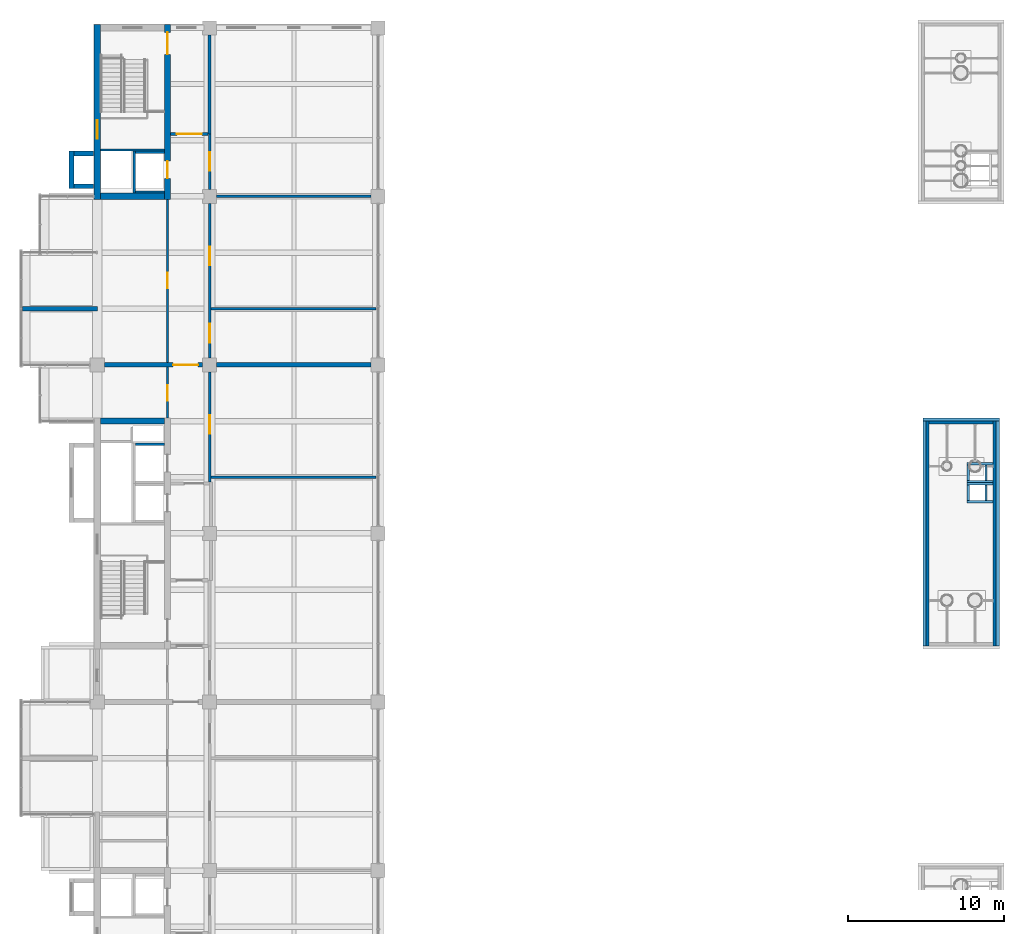
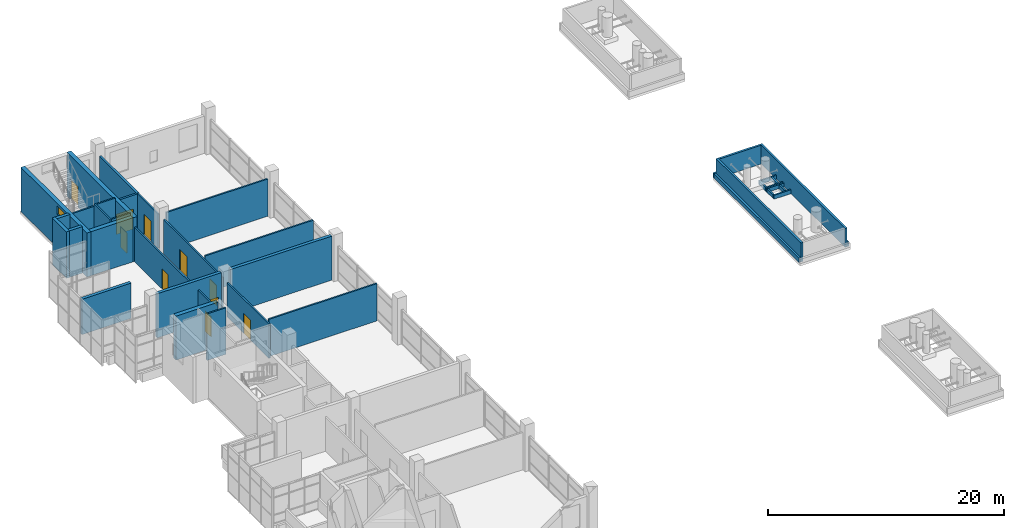
# One storey, part 16 of 22: 39 walls, 10 doors, 1 window, 11 openings.
"""IFC4 building model written with IfcOpenShell, lengths in metres."""

from ifc_helpers import new_model, si_unit, direction, frame, frame_2d, origin, place, context, subcontext, project, spatial, rectangle, extrude, material, layer, layer_set, type_object, element, fill, save


model = new_model("IFC4")

# Units and contexts
model_context = context("Model", 3, precision=1e-05, world=origin(), true_north=direction((0.0, 1.0)))
body_context = subcontext(model_context, "Body", "Model", "MODEL_VIEW")
ifc_project = project(units=[si_unit("LENGTHUNIT", "METRE"), si_unit("AREAUNIT", "SQUARE_METRE"), si_unit("VOLUMEUNIT", "CUBIC_METRE"), si_unit("PLANEANGLEUNIT", "RADIAN"), si_unit("MASSUNIT", "GRAM", prefix="KILO")], contexts=[model_context])

# Site, building, storey
site_placement = place(None, origin())
site = spatial("IfcSite", under=ifc_project, at=site_placement, CompositionType="ELEMENT")
building_placement = place(site_placement, origin())
building = spatial("IfcBuilding", under=site, at=building_placement, Name="Basin Gate Institute", CompositionType="ELEMENT")
storey_placement = place(building_placement, frame((0.0, 0.0, 51.0)))
storey = spatial("IfcBuildingStorey", under=building, at=storey_placement, Name="L10", CompositionType="ELEMENT", Elevation=51.0)

# Wall
ifc_material_1 = material(Name="Aluminium-faced insulated panel wall", Category="aluminium")
ifc_layer_1 = layer(ifc_material_1, 0.300048828125)
ifc_layer_set_1 = layer_set([ifc_layer_1], Name="Capsule side wall EW2 EI 120")
wall_type_1 = type_object("IfcWallType", Name="Capsule side wall EW2 EI 120", PredefinedType="STANDARD", material=ifc_layer_set_1)
wall_1_placement = place(storey_placement, frame((56.39990234375, 81.89990234375, 0.0), z_axis=(0.0, 0.0, 1.0), x_axis=(1.0, 0.0, 0.0)))
element("IfcWall", 1, at=wall_1_placement, inside=storey, type_object=wall_type_1, material=ifc_layer_set_1, Name="Capsule side wall W wing L10 line 14", PredefinedType="STANDARD", context=body_context, shape_type="SweptSolid", body=[
    extrude(rectangle(XDim=4.800048828125, YDim=0.300048828125, at=frame_2d((2.39990234375, 0.0))), origin(), (0.0, 0.0, 1.0), 3.64990234375),
])

# Wall, opening, door
ifc_material_2 = material(Name="Fire-rated masonry", Category="masonry")
ifc_layer_2 = layer(ifc_material_2, 0.199951171875)
ifc_layer_set_2 = layer_set([ifc_layer_2], Name="Enclosure wall PW2 200 EI 60")
wall_type_2 = type_object("IfcWallType", Name="Enclosure wall PW2 200 EI 60", PredefinedType="PARTITIONING", material=ifc_layer_set_2)
wall_2_placement = place(storey_placement, frame((65.89990234375, 93.10009765625, 0.0), z_axis=(0.0, 0.0, 1.0), x_axis=(1.0, 0.0, 0.0)))
wall_2 = element("IfcWall", 2, at=wall_2_placement, inside=storey, type_object=wall_type_2, material=ifc_layer_set_2, Name="Smoke lobby enclosure wall PW2 L10", PredefinedType="PARTITIONING", context=body_context, shape_type="SweptSolid", body=[
    extrude(rectangle(XDim=2.400146484375, YDim=0.199951171875, at=frame_2d((1.2001953125, 0.0))), origin(), (0.0, 0.0, 1.0), 3.550048828125),
])
opening_1_placement = place(wall_2_placement, frame((0.39990234375, 0.0, 0.0)))
opening_1 = element("IfcOpeningElement", 3, at=opening_1_placement, cuts=wall_2, Name="Opening DR458", PredefinedType="OPENING", context=body_context, shape_type="SweptSolid", body=[
    extrude(rectangle(XDim=1.60009765625, YDim=2.10009765625, at=frame_2d((0.800048828125, 1.050048828125))), frame((0.0, 0.10986328125, 0.0), z_axis=(0.0, -1.0, 0.0), x_axis=(1.0, 0.0, 0.0)), (0.0, 0.0, 1.0), 0.219970703125),
])
ifc_material_3 = material(Name="Steel fire door", Category="steel")
door_type_1 = type_object("IfcDoorType", Name="FD60 Smoke lobby door pair D8", OperationType="DOUBLE_DOOR_SINGLE_SWING", PredefinedType="DOOR", material=ifc_material_3)
door_1_placement = place(opening_1_placement, origin())
door_1 = element("IfcDoor", 4, at=door_1_placement, inside=storey, type_object=door_type_1, material=ifc_material_3, Name="Smoke lobby door SS3 L10", OperationType="DOUBLE_DOOR_SINGLE_SWING", OverallHeight=2.10009765625, OverallWidth=1.60009765625, PredefinedType="DOOR", context=body_context, shape_type="SweptSolid", body=[
    extrude(rectangle(XDim=1.60009765625, YDim=2.10009765625, at=frame_2d((0.800048828125, 1.050048828125))), frame((0.0, 0.02490234375, 0.0), z_axis=(0.0, -1.0, 0.0), x_axis=(1.0, 0.0, 0.0)), (0.0, 0.0, 1.0), 0.050048828125),
])
fill(opening_1, door_1)

# Walls
wall_3_placement = place(storey_placement, frame((68.39990234375, 93.10009765625, 0.0), z_axis=(0.0, 0.0, 1.0), x_axis=(0.0, 1.0, 0.0)))
element("IfcWall", 5, at=wall_3_placement, inside=storey, type_object=wall_type_2, material=ifc_layer_set_2, Name="Smoke lobby enclosure wall PW2 L10", PredefinedType="PARTITIONING", context=body_context, shape_type="SweptSolid", body=[
    extrude(rectangle(XDim=6.349853515625, YDim=0.199951171875, at=frame_2d((3.1748046875, 0.0))), origin(), (0.0, 0.0, 1.0), 3.550048828125),
])
ifc_material_4 = material(Name="Insulated aluminium louvre panel", Category="aluminium")
ifc_layer_3 = layer(ifc_material_4, 0.199951171875)
ifc_layer_set_3 = layer_set([ifc_layer_3], Name="Exhaust enclosure panel XS1")
wall_type_3 = type_object("IfcWallType", Name="Exhaust enclosure panel XS1", PredefinedType="SOLIDWALL", material=ifc_layer_set_3)
for number, where, z_axis, x_axis, name in (
    (6, (118.699951171875, 60.300048828125, 0.25), (0.0, 0.0, 1.0), (0.0, 1.0, 0.0), "Exhaust enclosure panel XS1 EM E"),
    (7, (114.39990234375, 60.300048828125, 0.25), (0.0, 0.0, 1.0), (0.0, 1.0, 0.0), "Exhaust enclosure panel XS1 EM W"),
):
    element("IfcWall", number, at=place(storey_placement, frame(where, z_axis=z_axis, x_axis=x_axis)), inside=storey, type_object=wall_type_3, material=ifc_layer_set_3, Name=name, PredefinedType="SOLIDWALL", context=body_context, shape_type="SweptSolid", body=[
        extrude(rectangle(XDim=14.39990234375, YDim=0.199951171875, at=frame_2d((7.199951171875, 0.0))), origin(), (0.0, 0.0, 1.0), 1.949951171875),
    ])
wall_4_placement = place(storey_placement, frame((114.5, 74.60009765625, 0.25), z_axis=(0.0, 0.0, 1.0), x_axis=(1.0, 0.0, 0.0)))
element("IfcWall", 8, at=wall_4_placement, inside=storey, type_object=wall_type_3, material=ifc_layer_set_3, Name="Exhaust enclosure panel XS1 EM N", PredefinedType="SOLIDWALL", context=body_context, shape_type="SweptSolid", body=[
    extrude(rectangle(XDim=4.10009765625, YDim=0.199951171875, at=frame_2d((2.050048828125, 0.0))), origin(), (0.0, 0.0, 1.0), 1.949951171875),
])
ifc_material_5 = material(Name="Concrete 40 MPa", Category="concrete")
ifc_layer_4 = layer(ifc_material_5, 0.199951171875)
ifc_layer_set_4 = layer_set([ifc_layer_4], Name="Concrete 40 MPa")
wall_type_4 = type_object("IfcWallType", Name="Parapet wall PA4", PredefinedType="PARAPET", material=ifc_layer_set_4)
wall_5_placement = place(storey_placement, frame((114.199951171875, 60.300048828125, 0.25), z_axis=(0.0, 0.0, 1.0), x_axis=(0.0, 1.0, 0.0)))
element("IfcWall", 9, at=wall_5_placement, inside=storey, type_object=wall_type_4, material=ifc_layer_set_4, Name="Parapet wall PA4 L10 EM2", PredefinedType="PARAPET", context=body_context, shape_type="SweptSolid", body=[
    extrude(rectangle(XDim=14.39990234375, YDim=0.199951171875, at=frame_2d((7.199951171875, 0.0))), origin(), (0.0, 0.0, 1.0), 0.449951171875),
])
wall_6_placement = place(storey_placement, frame((114.10009765625, 74.800048828125, 0.25), z_axis=(0.0, 0.0, 1.0), x_axis=(1.0, 0.0, 0.0)))
element("IfcWall", 10, at=wall_6_placement, inside=storey, type_object=wall_type_4, material=ifc_layer_set_4, Name="Parapet wall PA4 L10 EM3", PredefinedType="PARAPET", context=body_context, shape_type="SweptSolid", body=[
    extrude(rectangle(XDim=4.89990234375, YDim=0.199951171875, at=frame_2d((2.449951171875, 0.0))), origin(), (0.0, 0.0, 1.0), 0.449951171875),
])
wall_7_placement = place(storey_placement, frame((118.89990234375, 74.699951171875, 0.25), z_axis=(0.0, 0.0, 1.0), x_axis=(0.0, -1.0, 0.0)))
element("IfcWall", 11, at=wall_7_placement, inside=storey, type_object=wall_type_4, material=ifc_layer_set_4, Name="Parapet wall PA4 L10 EM4", PredefinedType="PARAPET", context=body_context, shape_type="SweptSolid", body=[
    extrude(rectangle(XDim=14.39990234375, YDim=0.199951171875, at=frame_2d((7.199951171875, 0.0))), origin(), (0.0, 0.0, 1.0), 0.449951171875),
])

# Wall, opening, door
ifc_material_6 = material(Name="Gypsum board on steel stud", Category="steel")
ifc_layer_5 = layer(ifc_material_6, 0.14990234375)
ifc_layer_set_5 = layer_set([ifc_layer_5], Name="Gypsum board on steel stud")
wall_type_5 = type_object("IfcWallType", Name="Partition PW1 150 EI 60", PredefinedType="PARTITIONING", material=ifc_layer_set_5)
wall_8_placement = place(storey_placement, frame((65.699951171875, 74.89990234375, 0.0), z_axis=(0.0, 0.0, 1.0), x_axis=(0.0, 1.0, 0.0)))
wall_8 = element("IfcWall", 12, at=wall_8_placement, inside=storey, type_object=wall_type_5, material=ifc_layer_set_5, Name="Corridor wall PW1 L10", PredefinedType="PARTITIONING", context=body_context, shape_type="SweptSolid", body=[
    extrude(rectangle(XDim=3.25, YDim=0.14990234375, at=frame_2d((1.625, 0.0))), origin(), (0.0, 0.0, 1.0), 3.550048828125),
])
opening_2_placement = place(wall_8_placement, frame((1.10009765625, 0.0, 0.0)))
opening_2 = element("IfcOpeningElement", 13, at=opening_2_placement, cuts=wall_8, Name="Opening DR453", PredefinedType="OPENING", context=body_context, shape_type="SweptSolid", body=[
    extrude(rectangle(XDim=1.0, YDim=2.10009765625, at=frame_2d((0.5, 1.050048828125))), frame((0.0, 0.0849609375, 0.0), z_axis=(0.0, -1.0, 0.0), x_axis=(1.0, 0.0, 0.0)), (0.0, 0.0, 1.0), 0.169921875),
])
ifc_material_7 = material(Name="Timber fire door", Category="wood")
door_type_2 = type_object("IfcDoorType", Name="FD30 Office door D1", OperationType="NOTDEFINED", PredefinedType="DOOR", material=ifc_material_7)
door_2_placement = place(opening_2_placement, origin())
door_2 = element("IfcDoor", 14, at=door_2_placement, inside=storey, type_object=door_type_2, material=ifc_material_7, Name="Door to Write-up Office 1005 L10", OperationType="SINGLE_SWING_LEFT", OverallHeight=2.10009765625, OverallWidth=1.0, PredefinedType="DOOR", context=body_context, shape_type="SweptSolid", body=[
    extrude(rectangle(XDim=1.0, YDim=2.10009765625, at=frame_2d((0.5, 1.050048828125))), frame((0.0, 0.02490234375, 0.0), z_axis=(0.0, -1.0, 0.0), x_axis=(1.0, 0.0, 0.0)), (0.0, 0.0, 1.0), 0.050048828125),
])
fill(opening_2, door_2)

wall_9_placement = place(storey_placement, frame((65.699951171875, 78.449951171875, 0.0), z_axis=(0.0, 0.0, 1.0), x_axis=(0.0, 1.0, 0.0)))
wall_9 = element("IfcWall", 15, at=wall_9_placement, inside=storey, type_object=wall_type_5, material=ifc_layer_set_5, Name="Corridor wall PW1 L10", PredefinedType="PARTITIONING", context=body_context, shape_type="SweptSolid", body=[
    extrude(rectangle(XDim=10.449951171875, YDim=0.14990234375, at=frame_2d((5.22509765625, 0.0))), origin(), (0.0, 0.0, 1.0), 3.550048828125),
])
opening_3_placement = place(wall_9_placement, frame((4.75, 0.0, 0.0)))
opening_3 = element("IfcOpeningElement", 16, at=opening_3_placement, cuts=wall_9, Name="Opening DR447", PredefinedType="OPENING", context=body_context, shape_type="SweptSolid", body=[
    extrude(rectangle(XDim=1.0, YDim=2.10009765625, at=frame_2d((0.5, 1.050048828125))), frame((0.0, 0.0849609375, 0.0), z_axis=(0.0, -1.0, 0.0), x_axis=(1.0, 0.0, 0.0)), (0.0, 0.0, 1.0), 0.169921875),
])
door_3_placement = place(opening_3_placement, origin())
door_3 = element("IfcDoor", 17, at=door_3_placement, inside=storey, type_object=door_type_2, material=ifc_material_7, Name="Door to Library Carrel Room 1006 L10", OperationType="SINGLE_SWING_LEFT", OverallHeight=2.10009765625, OverallWidth=1.0, PredefinedType="DOOR", context=body_context, shape_type="SweptSolid", body=[
    extrude(rectangle(XDim=1.0, YDim=2.10009765625, at=frame_2d((0.5, 1.050048828125))), frame((0.0, 0.02490234375, 0.0), z_axis=(0.0, -1.0, 0.0), x_axis=(1.0, 0.0, 0.0)), (0.0, 0.0, 1.0), 0.050048828125),
])
fill(opening_3, door_3)

wall_10_placement = place(storey_placement, frame((68.39990234375, 70.800048828125, 0.0), z_axis=(0.0, 0.0, 1.0), x_axis=(0.0, 1.0, 0.0)))
wall_10 = element("IfcWall", 18, at=wall_10_placement, inside=storey, type_object=wall_type_5, material=ifc_layer_set_5, Name="Laboratory corridor wall PW1 L10", PredefinedType="PARTITIONING", context=body_context, shape_type="SweptSolid", body=[
    extrude(rectangle(XDim=7.050048828125, YDim=0.14990234375, at=frame_2d((3.52490234375, 0.0))), origin(), (0.0, 0.0, 1.0), 3.550048828125),
])
opening_4_placement = place(wall_10_placement, frame((3.074951171875, 0.0, 0.0)))
opening_4 = element("IfcOpeningElement", 19, at=opening_4_placement, cuts=wall_10, Name="Opening DR443", PredefinedType="OPENING", context=body_context, shape_type="SweptSolid", body=[
    extrude(rectangle(XDim=1.199951171875, YDim=2.10009765625, at=frame_2d((0.60009765625, 1.050048828125))), frame((0.0, 0.0849609375, 0.0), z_axis=(0.0, -1.0, 0.0), x_axis=(1.0, 0.0, 0.0)), (0.0, 0.0, 1.0), 0.169921875),
])
ifc_material_8 = material(Name="Timber fire door", Category="wood")
door_type_3 = type_object("IfcDoorType", Name="FD30 Laboratory door D2", OperationType="DOUBLE_DOOR_SINGLE_SWING", PredefinedType="DOOR", material=ifc_material_8)
door_4_placement = place(opening_4_placement, frame((1.199951171875, 0.0, 0.0), z_axis=(0.0, 0.0, 1.0), x_axis=(-1.0, 0.0, 0.0)))
door_4 = element("IfcDoor", 20, at=door_4_placement, inside=storey, type_object=door_type_3, material=ifc_material_8, Name="Door to Breakout Meeting Room 1019 L10", OperationType="DOUBLE_DOOR_SINGLE_SWING", OverallHeight=2.10009765625, OverallWidth=1.199951171875, PredefinedType="DOOR", context=body_context, shape_type="SweptSolid", body=[
    extrude(rectangle(XDim=1.199951171875, YDim=2.10009765625, at=frame_2d((0.60009765625, 1.050048828125))), frame((0.0, 0.02490234375, 0.0), z_axis=(0.0, -1.0, 0.0), x_axis=(1.0, 0.0, 0.0)), (0.0, 0.0, 1.0), 0.050048828125),
])
fill(opening_4, door_4)

# Wall, openings, doors
wall_11_placement = place(storey_placement, frame((68.39990234375, 78.75, 0.0), z_axis=(0.0, 0.0, 1.0), x_axis=(0.0, 1.0, 0.0)))
wall_11 = element("IfcWall", 21, at=wall_11_placement, inside=storey, type_object=wall_type_5, material=ifc_layer_set_5, Name="Laboratory corridor wall PW1 L10", PredefinedType="PARTITIONING", context=body_context, shape_type="SweptSolid", body=[
    extrude(rectangle(XDim=9.89990234375, YDim=0.14990234375, at=frame_2d((4.949951171875, 0.0))), origin(), (0.0, 0.0, 1.0), 3.550048828125),
])
opening_5_placement = place(wall_11_placement, frame((0.97509765625, 0.0, 0.0)))
opening_5 = element("IfcOpeningElement", 22, at=opening_5_placement, cuts=wall_11, Name="Opening DR444", PredefinedType="OPENING", context=body_context, shape_type="SweptSolid", body=[
    extrude(rectangle(XDim=1.199951171875, YDim=2.10009765625, at=frame_2d((0.60009765625, 1.050048828125))), frame((0.0, 0.0849609375, 0.0), z_axis=(0.0, -1.0, 0.0), x_axis=(1.0, 0.0, 0.0)), (0.0, 0.0, 1.0), 0.169921875),
])
opening_6_placement = place(wall_11_placement, frame((5.925048828125, 0.0, 0.0)))
opening_6 = element("IfcOpeningElement", 23, at=opening_6_placement, cuts=wall_11, Name="Opening DR451", PredefinedType="OPENING", context=body_context, shape_type="SweptSolid", body=[
    extrude(rectangle(XDim=1.199951171875, YDim=2.10009765625, at=frame_2d((0.60009765625, 1.050048828125))), frame((0.0, 0.0849609375, 0.0), z_axis=(0.0, -1.0, 0.0), x_axis=(1.0, 0.0, 0.0)), (0.0, 0.0, 1.0), 0.169921875),
])
door_5_placement = place(opening_5_placement, frame((1.199951171875, 0.0, 0.0), z_axis=(0.0, 0.0, 1.0), x_axis=(-1.0, 0.0, 0.0)))
door_5 = element("IfcDoor", 24, at=door_5_placement, inside=storey, type_object=door_type_3, material=ifc_material_8, Name="Door to Breakout Meeting Room 1020 L10", OperationType="DOUBLE_DOOR_SINGLE_SWING", OverallHeight=2.10009765625, OverallWidth=1.199951171875, PredefinedType="DOOR", context=body_context, shape_type="SweptSolid", body=[
    extrude(rectangle(XDim=1.199951171875, YDim=2.10009765625, at=frame_2d((0.60009765625, 1.050048828125))), frame((0.0, 0.02490234375, 0.0), z_axis=(0.0, -1.0, 0.0), x_axis=(1.0, 0.0, 0.0)), (0.0, 0.0, 1.0), 0.050048828125),
])
fill(opening_5, door_5)
door_6_placement = place(opening_6_placement, frame((1.199951171875, 0.0, 0.0), z_axis=(0.0, 0.0, 1.0), x_axis=(-1.0, 0.0, 0.0)))
door_6 = element("IfcDoor", 25, at=door_6_placement, inside=storey, type_object=door_type_3, material=ifc_material_8, Name="Door to Shared Instrument Suite 1021 L10", OperationType="DOUBLE_DOOR_SINGLE_SWING", OverallHeight=2.10009765625, OverallWidth=1.199951171875, PredefinedType="DOOR", context=body_context, shape_type="SweptSolid", body=[
    extrude(rectangle(XDim=1.199951171875, YDim=2.10009765625, at=frame_2d((0.60009765625, 1.050048828125))), frame((0.0, 0.02490234375, 0.0), z_axis=(0.0, -1.0, 0.0), x_axis=(1.0, 0.0, 0.0)), (0.0, 0.0, 1.0), 0.050048828125),
])
fill(opening_6, door_6)

# Wall, opening, door
wall_12_placement = place(storey_placement, frame((68.39990234375, 89.550048828125, 0.0), z_axis=(0.0, 0.0, 1.0), x_axis=(0.0, 1.0, 0.0)))
wall_12 = element("IfcWall", 26, at=wall_12_placement, inside=storey, type_object=wall_type_5, material=ifc_layer_set_5, Name="Laboratory corridor wall PW1 L10", PredefinedType="PARTITIONING", context=body_context, shape_type="SweptSolid", body=[
    extrude(rectangle(XDim=3.550048828125, YDim=0.14990234375, at=frame_2d((1.77490234375, 0.0))), origin(), (0.0, 0.0, 1.0), 3.550048828125),
])
opening_7_placement = place(wall_12_placement, frame((1.175048828125, 0.0, 0.0)))
opening_7 = element("IfcOpeningElement", 27, at=opening_7_placement, cuts=wall_12, Name="Opening DR445", PredefinedType="OPENING", context=body_context, shape_type="SweptSolid", body=[
    extrude(rectangle(XDim=1.199951171875, YDim=2.10009765625, at=frame_2d((0.60009765625, 1.050048828125))), frame((0.0, 0.0849609375, 0.0), z_axis=(0.0, -1.0, 0.0), x_axis=(1.0, 0.0, 0.0)), (0.0, 0.0, 1.0), 0.169921875),
])
door_7_placement = place(opening_7_placement, frame((1.199951171875, 0.0, 0.0), z_axis=(0.0, 0.0, 1.0), x_axis=(-1.0, 0.0, 0.0)))
door_7 = element("IfcDoor", 28, at=door_7_placement, inside=storey, type_object=door_type_3, material=ifc_material_8, Name="Door to Breakout Meeting Room 1022 L10", OperationType="DOUBLE_DOOR_SINGLE_SWING", OverallHeight=2.10009765625, OverallWidth=1.199951171875, PredefinedType="DOOR", context=body_context, shape_type="SweptSolid", body=[
    extrude(rectangle(XDim=1.199951171875, YDim=2.10009765625, at=frame_2d((0.60009765625, 1.050048828125))), frame((0.0, 0.02490234375, 0.0), z_axis=(0.0, -1.0, 0.0), x_axis=(1.0, 0.0, 0.0)), (0.0, 0.0, 1.0), 0.050048828125),
])
fill(opening_7, door_7)

# Walls
for number, where, z_axis, x_axis, name in (
    (29, (68.47509765625, 71.10009765625, 0.0), (0.0, 0.0, 1.0), (1.0, 0.0, 0.0), "Laboratory partition PW1 L10"),
    (30, (68.47509765625, 81.89990234375, 0.0), (0.0, 0.0, 1.0), (1.0, 0.0, 0.0), "Laboratory partition PW1 L10"),
):
    element("IfcWall", number, at=place(storey_placement, frame(where, z_axis=z_axis, x_axis=x_axis)), inside=storey, type_object=wall_type_5, material=ifc_layer_set_5, Name=name, PredefinedType="PARTITIONING", context=body_context, shape_type="SweptSolid", body=[
        extrude(rectangle(XDim=10.574951171875, YDim=0.14990234375, at=frame_2d((5.28759765625, 0.0))), origin(), (0.0, 0.0, 1.0), 3.85009765625),
    ])
wall_13_placement = place(storey_placement, frame((68.85009765625, 89.10009765625, 0.0), z_axis=(0.0, 0.0, 1.0), x_axis=(1.0, 0.0, 0.0)))
element("IfcWall", 31, at=wall_13_placement, inside=storey, type_object=wall_type_5, material=ifc_layer_set_5, Name="Laboratory partition PW1 L10", PredefinedType="PARTITIONING", context=body_context, shape_type="SweptSolid", body=[
    extrude(rectangle(XDim=9.89990234375, YDim=0.14990234375, at=frame_2d((4.949951171875, 0.0))), origin(), (0.0, 0.0, 1.0), 3.85009765625),
])
ifc_material_9 = material(Name="Concrete 40 MPa", Category="concrete")
ifc_layer_6 = layer(ifc_material_9, 0.14990234375)
ifc_layer_set_6 = layer_set([ifc_layer_6], Name="Concrete 40 MPa")
wall_type_6 = type_object("IfcWallType", Name="Roof duct curb CU1", PredefinedType="PARAPET", material=ifc_layer_set_6)
for number, where, z_axis, x_axis, name in (
    (32, (116.925048828125, 69.52490234375, 0.25), (0.0, 0.0, 1.0), (1.0, 0.0, 0.0), "Roof duct curb CU1 EM stack"),
    (33, (116.925048828125, 70.675048828125, 0.25), (0.0, 0.0, 1.0), (1.0, 0.0, 0.0), "Roof duct curb CU1 EM stack"),
):
    element("IfcWall", number, at=place(storey_placement, frame(where, z_axis=z_axis, x_axis=x_axis)), inside=storey, type_object=wall_type_6, material=ifc_layer_set_6, Name=name, PredefinedType="PARAPET", context=body_context, shape_type="SweptSolid", body=[
        extrude(rectangle(XDim=1.675048828125, YDim=0.14990234375, at=frame_2d((0.83740234375, 0.0))), origin(), (0.0, 0.0, 1.0), 0.39990234375),
    ])
for number, where, z_axis, x_axis, name in (
    (34, (117.0, 69.60009765625, 0.25), (0.0, 0.0, 1.0), (0.0, 1.0, 0.0), "Roof duct curb CU1 EM stack"),
    (35, (118.14990234375, 69.60009765625, 0.25), (0.0, 0.0, 1.0), (0.0, 1.0, 0.0), "Roof duct curb CU1 EM stack"),
):
    element("IfcWall", number, at=place(storey_placement, frame(where, z_axis=z_axis, x_axis=x_axis)), inside=storey, type_object=wall_type_6, material=ifc_layer_set_6, Name=name, PredefinedType="PARAPET", context=body_context, shape_type="SweptSolid", body=[
        extrude(rectangle(XDim=1.0, YDim=0.14990234375, at=frame_2d((0.5, 0.0))), origin(), (0.0, 0.0, 1.0), 0.39990234375),
    ])
for number, where, z_axis, x_axis, name in (
    (36, (116.925048828125, 70.824951171875, 0.25), (0.0, 0.0, 1.0), (1.0, 0.0, 0.0), "Roof duct curb CU1 EM stack"),
    (37, (116.925048828125, 71.97509765625, 0.25), (0.0, 0.0, 1.0), (1.0, 0.0, 0.0), "Roof duct curb CU1 EM stack"),
):
    element("IfcWall", number, at=place(storey_placement, frame(where, z_axis=z_axis, x_axis=x_axis)), inside=storey, type_object=wall_type_6, material=ifc_layer_set_6, Name=name, PredefinedType="PARAPET", context=body_context, shape_type="SweptSolid", body=[
        extrude(rectangle(XDim=1.675048828125, YDim=0.14990234375, at=frame_2d((0.83740234375, 0.0))), origin(), (0.0, 0.0, 1.0), 0.39990234375),
    ])
for number, where, z_axis, x_axis, name in (
    (38, (117.0, 70.89990234375, 0.25), (0.0, 0.0, 1.0), (0.0, 1.0, 0.0), "Roof duct curb CU1 EM stack"),
    (39, (118.14990234375, 70.89990234375, 0.25), (0.0, 0.0, 1.0), (0.0, 1.0, 0.0), "Roof duct curb CU1 EM stack"),
):
    element("IfcWall", number, at=place(storey_placement, frame(where, z_axis=z_axis, x_axis=x_axis)), inside=storey, type_object=wall_type_6, material=ifc_layer_set_6, Name=name, PredefinedType="PARAPET", context=body_context, shape_type="SweptSolid", body=[
        extrude(rectangle(XDim=1.0, YDim=0.14990234375, at=frame_2d((0.5, 0.0))), origin(), (0.0, 0.0, 1.0), 0.39990234375),
    ])
ifc_material_10 = material(Name="Concrete 40 MPa", Category="concrete")
ifc_layer_7 = layer(ifc_material_10, 0.14990234375)
ifc_layer_set_7 = layer_set([ifc_layer_7], Name="Concrete 40 MPa")
wall_type_7 = type_object("IfcWallType", Name="Wall LS1 lift shaft enclosure R120", PredefinedType="SOLIDWALL", material=ifc_layer_set_7)
wall_14_placement = place(storey_placement, frame((63.64990234375, 73.22509765625, 0.0), z_axis=(0.0, 0.0, 1.0), x_axis=(1.0, 0.0, 0.0)))
element("IfcWall", 40, at=wall_14_placement, inside=storey, type_object=wall_type_7, material=ifc_layer_set_7, Name="Lift shaft enclosure LP2 L10 RH", PredefinedType="SOLIDWALL", context=body_context, shape_type="SweptSolid", body=[
    extrude(rectangle(XDim=1.85009765625, YDim=0.14990234375, at=frame_2d((0.925048828125, 0.0))), origin(), (0.0, 0.0, 1.0), 4.800048828125),
])
wall_15_placement = place(storey_placement, frame((63.574951171875, 92.0, 0.0), z_axis=(0.0, 0.0, 1.0), x_axis=(0.0, -1.0, 0.0)))
element("IfcWall", 41, at=wall_15_placement, inside=storey, type_object=wall_type_7, material=ifc_layer_set_7, Name="Lift shaft enclosure LP3 L10 UL", PredefinedType="SOLIDWALL", context=body_context, shape_type="SweptSolid", body=[
    extrude(rectangle(XDim=2.699951171875, YDim=0.14990234375, at=frame_2d((1.35009765625, 0.0))), origin(), (0.0, 0.0, 1.0), 4.800048828125),
])
for number, where, z_axis, x_axis, name in (
    (42, (63.64990234375, 91.925048828125, 0.0), (0.0, 0.0, 1.0), (1.0, 0.0, 0.0), "Lift shaft enclosure LP3 L10 RL"),
    (43, (63.64990234375, 89.375, 0.0), (0.0, 0.0, 1.0), (1.0, 0.0, 0.0), "Lift shaft enclosure LP3 L10 RH"),
):
    element("IfcWall", number, at=place(storey_placement, frame(where, z_axis=z_axis, x_axis=x_axis)), inside=storey, type_object=wall_type_7, material=ifc_layer_set_7, Name=name, PredefinedType="SOLIDWALL", context=body_context, shape_type="SweptSolid", body=[
        extrude(rectangle(XDim=1.85009765625, YDim=0.14990234375, at=frame_2d((0.925048828125, 0.0))), origin(), (0.0, 0.0, 1.0), 4.800048828125),
    ])
ifc_material_11 = material(Name="Concrete 40 MPa", Category="concrete")
ifc_layer_8 = layer(ifc_material_11, 0.14990234375)
ifc_layer_set_8 = layer_set([ifc_layer_8], Name="Concrete 40 MPa")
wall_type_8 = type_object("IfcWallType", Name="Wall SE1 stair enclosure R120", PredefinedType="SOLIDWALL", material=ifc_layer_set_8)
wall_16_placement = place(storey_placement, frame((61.39990234375, 92.074951171875, 0.0), z_axis=(0.0, 0.0, 1.0), x_axis=(1.0, 0.0, 0.0)))
element("IfcWall", 44, at=wall_16_placement, inside=storey, type_object=wall_type_8, material=ifc_layer_set_8, Name="Stair enclosure wall ST-WN L10", PredefinedType="SOLIDWALL", context=body_context, shape_type="SweptSolid", body=[
    extrude(rectangle(XDim=4.10009765625, YDim=0.14990234375, at=frame_2d((2.050048828125, 0.0))), origin(), (0.0, 0.0, 1.0), 4.550048828125),
])
ifc_material_12 = material(Name="Concrete 50 MPa", Category="concrete")
ifc_layer_9 = layer(ifc_material_12, 0.300048828125)
ifc_layer_set_9 = layer_set([ifc_layer_9], Name="Concrete 50 MPa")
wall_type_9 = type_object("IfcWallType", Name="Wall SK1 R120", PredefinedType="SHEAR", material=ifc_layer_set_9)
wall_17_placement = place(storey_placement, frame((59.550048828125, 89.60009765625, 0.0), z_axis=(0.0, 0.0, 1.0), x_axis=(0.0, 1.0, 0.0)))
element("IfcWall", 45, at=wall_17_placement, inside=storey, type_object=wall_type_9, material=ifc_layer_set_9, Name="Spine riser stack wall SK1 WN F L10", PredefinedType="SHEAR", context=body_context, shape_type="SweptSolid", body=[
    extrude(rectangle(XDim=2.39990234375, YDim=0.300048828125, at=frame_2d((1.199951171875, 0.0))), origin(), (0.0, 0.0, 1.0), 4.800048828125),
])
for number, where, z_axis, x_axis, name in (
    (46, (60.949951171875, 89.75, 0.0), (0.0, 0.0, 1.0), (-1.0, 0.0, 0.0), "Spine riser stack wall SK1 WN A L10"),
    (47, (60.949951171875, 91.85009765625, 0.0), (0.0, 0.0, 1.0), (-1.0, 0.0, 0.0), "Spine riser stack wall SK1 WN B L10"),
):
    element("IfcWall", number, at=place(storey_placement, frame(where, z_axis=z_axis, x_axis=x_axis)), inside=storey, type_object=wall_type_9, material=ifc_layer_set_9, Name=name, PredefinedType="SHEAR", context=body_context, shape_type="SweptSolid", body=[
        extrude(rectangle(XDim=1.25, YDim=0.300048828125, at=frame_2d((0.625, 0.0))), origin(), (0.0, 0.0, 1.0), 4.800048828125),
    ])
ifc_material_13 = material(Name="Concrete 50 MPa", Category="concrete")
ifc_layer_10 = layer(ifc_material_13, 0.39990234375)
ifc_layer_set_10 = layer_set([ifc_layer_10], Name="Concrete 50 MPa")
wall_type_10 = type_object("IfcWallType", Name="Wall SW2 R120", PredefinedType="SHEAR", material=ifc_layer_set_10)
wall_18_placement = place(storey_placement, frame((61.39990234375, 74.699951171875, 0.0), z_axis=(0.0, 0.0, 1.0), x_axis=(1.0, 0.0, 0.0)))
element("IfcWall", 48, at=wall_18_placement, inside=storey, type_object=wall_type_10, material=ifc_layer_set_10, Name="WALL/L10/WM/N", PredefinedType="SHEAR", context=body_context, shape_type="SweptSolid", body=[
    extrude(rectangle(XDim=4.10009765625, YDim=0.39990234375, at=frame_2d((2.050048828125, 0.0))), origin(), (0.0, 0.0, 1.0), 4.550048828125),
])

# Wall, opening, window
wall_19_placement = place(storey_placement, frame((61.199951171875, 88.89990234375, 0.0), z_axis=(0.0, 0.0, 1.0), x_axis=(0.0, 1.0, 0.0)))
wall_19 = element("IfcWall", 49, at=wall_19_placement, inside=storey, type_object=wall_type_10, material=ifc_layer_set_10, Name="WALL/L10/WN/L", PredefinedType="SHEAR", context=body_context, shape_type="SweptSolid", body=[
    extrude(rectangle(XDim=11.2001953125, YDim=0.39990234375, at=frame_2d((5.60009765625, 0.0))), origin(), (0.0, 0.0, 1.0), 4.550048828125),
])
opening_8_placement = place(wall_19_placement, frame((3.889892578125, 0.0, 3.39990234375)))
opening_8 = element("IfcOpeningElement", 50, at=opening_8_placement, cuts=wall_19, Name="Opening WT2", PredefinedType="OPENING", context=body_context, shape_type="SweptSolid", body=[
    extrude(rectangle(XDim=1.199951171875, YDim=0.89990234375, at=frame_2d((0.60009765625, 0.449951171875))), frame((0.0, 0.2099609375, 0.0), z_axis=(0.0, -1.0, 0.0), x_axis=(1.0, 0.0, 0.0)), (0.0, 0.0, 1.0), 0.419921875),
])
ifc_material_14 = material(Name="Fire-resistant glazing in steel-free frame", Category="steel")
window_type = type_object("IfcWindowType", Name="Rated stair window EI 120 WT2", PartitioningType="SINGLE_PANEL", PredefinedType="WINDOW", material=ifc_material_14)
window_placement = place(opening_8_placement, origin())
window = element("IfcWindow", 51, at=window_placement, inside=storey, type_object=window_type, material=ifc_material_14, Name="Rated stair window EI 120 WN landing L10", OverallHeight=0.89990234375, OverallWidth=1.199951171875, PartitioningType="SINGLE_PANEL", PredefinedType="WINDOW", context=body_context, shape_type="SweptSolid", body=[
    extrude(rectangle(XDim=1.199951171875, YDim=0.89990234375, at=frame_2d((0.60009765625, 0.449951171875))), frame((0.0, 0.030029296875, 0.0), z_axis=(0.0, -1.0, 0.0), x_axis=(1.0, 0.0, 0.0)), (0.0, 0.0, 1.0), 0.06005859375),
])
fill(opening_8, window)

# Wall, openings, doors
wall_20_placement = place(storey_placement, frame((65.699951171875, 88.89990234375, 0.0), z_axis=(0.0, 0.0, 1.0), x_axis=(0.0, 1.0, 0.0)))
wall_20 = element("IfcWall", 52, at=wall_20_placement, inside=storey, type_object=wall_type_10, material=ifc_layer_set_10, Name="WALL/L10/WN/C", PredefinedType="SHEAR", context=body_context, shape_type="SweptSolid", body=[
    extrude(rectangle(XDim=11.2001953125, YDim=0.39990234375, at=frame_2d((5.60009765625, 0.0))), origin(), (0.0, 0.0, 1.0), 4.550048828125),
])
opening_9_placement = place(wall_20_placement, frame((9.300048828125, 0.0, 0.0)))
opening_9 = element("IfcOpeningElement", 53, at=opening_9_placement, cuts=wall_20, Name="Opening DS060", PredefinedType="OPENING", context=body_context, shape_type="SweptSolid", body=[
    extrude(rectangle(XDim=1.39990234375, YDim=2.10009765625, at=frame_2d((0.699951171875, 1.050048828125))), frame((0.0, 0.2099609375, 0.0), z_axis=(0.0, -1.0, 0.0), x_axis=(1.0, 0.0, 0.0)), (0.0, 0.0, 1.0), 0.419921875),
])
opening_10_placement = place(wall_20_placement, frame((1.35009765625, 0.0, 0.0)))
opening_10 = element("IfcOpeningElement", 54, at=opening_10_placement, cuts=wall_20, Name="Opening LD065", PredefinedType="OPENING", context=body_context, shape_type="SweptSolid", body=[
    extrude(rectangle(XDim=1.10009765625, YDim=2.10009765625, at=frame_2d((0.550048828125, 1.050048828125))), frame((0.0, 0.2099609375, 0.0), z_axis=(0.0, -1.0, 0.0), x_axis=(1.0, 0.0, 0.0)), (0.0, 0.0, 1.0), 0.419921875),
])
ifc_material_15 = material(Name="Steel fire door", Category="steel")
door_type_4 = type_object("IfcDoorType", Name="FD30 Stair enclosure door DS", OperationType="DOUBLE_DOOR_SINGLE_SWING", PredefinedType="DOOR", material=ifc_material_15)
door_8_placement = place(opening_9_placement, origin())
door_8 = element("IfcDoor", 55, at=door_8_placement, inside=storey, type_object=door_type_4, material=ifc_material_15, Name="Stair enclosure door ST-WN L10", OperationType="DOUBLE_DOOR_SINGLE_SWING", OverallHeight=2.10009765625, OverallWidth=1.39990234375, PredefinedType="DOOR", context=body_context, shape_type="SweptSolid", body=[
    extrude(rectangle(XDim=1.39990234375, YDim=2.10009765625, at=frame_2d((0.699951171875, 1.050048828125))), frame((0.0, 0.02490234375, 0.0), z_axis=(0.0, -1.0, 0.0), x_axis=(1.0, 0.0, 0.0)), (0.0, 0.0, 1.0), 0.050048828125),
])
fill(opening_9, door_8)
ifc_material_16 = material(Name="Stainless steel", Category="steel")
door_type_5 = type_object("IfcDoorType", Name="FD60 Lift landing door LD", OperationType="SLIDING_TO_LEFT", PredefinedType="DOOR", material=ifc_material_16)
door_9_placement = place(opening_10_placement, origin())
door_9 = element("IfcDoor", 56, at=door_9_placement, inside=storey, type_object=door_type_5, material=ifc_material_16, Name="Lift landing door LP3 L10", OperationType="SLIDING_TO_LEFT", OverallHeight=2.10009765625, OverallWidth=1.10009765625, PredefinedType="DOOR", context=body_context, shape_type="SweptSolid", body=[
    extrude(rectangle(XDim=1.10009765625, YDim=2.10009765625, at=frame_2d((0.550048828125, 1.050048828125))), frame((0.0, 0.02490234375, 0.0), z_axis=(0.0, -1.0, 0.0), x_axis=(1.0, 0.0, 0.0)), (0.0, 0.0, 1.0), 0.050048828125),
])
fill(opening_10, door_9)

# Wall
wall_21_placement = place(storey_placement, frame((61.39990234375, 89.10009765625, 0.0), z_axis=(0.0, 0.0, 1.0), x_axis=(1.0, 0.0, 0.0)))
element("IfcWall", 57, at=wall_21_placement, inside=storey, type_object=wall_type_10, material=ifc_layer_set_10, Name="WALL/L10/WN/S", PredefinedType="SHEAR", context=body_context, shape_type="SweptSolid", body=[
    extrude(rectangle(XDim=4.10009765625, YDim=0.39990234375, at=frame_2d((2.050048828125, 0.0))), origin(), (0.0, 0.0, 1.0), 4.550048828125),
])

# Wall, opening, door
ifc_material_17 = material(Name="Concrete 50 MPa", Category="concrete")
ifc_layer_11 = layer(ifc_material_17, 0.300048828125)
ifc_layer_set_11 = layer_set([ifc_layer_11], Name="Concrete 50 MPa")
wall_type_11 = type_object("IfcWallType", Name="Wall XW1 R120", PredefinedType="SHEAR", material=ifc_layer_set_11)
wall_22_placement = place(storey_placement, frame((61.64990234375, 78.300048828125, 0.0), z_axis=(0.0, 0.0, 1.0), x_axis=(1.0, 0.0, 0.0)))
wall_22 = element("IfcWall", 58, at=wall_22_placement, inside=storey, type_object=wall_type_11, material=ifc_layer_set_11, Name="WALL/L10/WXE/1", PredefinedType="SHEAR", context=body_context, shape_type="SweptSolid", body=[
    extrude(rectangle(XDim=6.300048828125, YDim=0.300048828125, at=frame_2d((3.14990234375, 0.0))), origin(), (0.0, 0.0, 1.0), 4.550048828125),
])
opening_11_placement = place(wall_22_placement, frame((4.41259765625, 0.0, 0.0)))
opening_11 = element("IfcOpeningElement", 59, at=opening_11_placement, cuts=wall_22, Name="Opening DR460", PredefinedType="OPENING", context=body_context, shape_type="SweptSolid", body=[
    extrude(rectangle(XDim=1.60009765625, YDim=2.10009765625, at=frame_2d((0.800048828125, 1.050048828125))), frame((0.0, 0.16015625, 0.0), z_axis=(0.0, -1.0, 0.0), x_axis=(1.0, 0.0, 0.0)), (0.0, 0.0, 1.0), 0.320068359375),
])
ifc_material_18 = material(Name="Steel fire door", Category="steel")
door_type_6 = type_object("IfcDoorType", Name="FD60 Compartment door pair D7", OperationType="DOUBLE_DOOR_SINGLE_SWING", PredefinedType="DOOR", material=ifc_material_18)
door_10_placement = place(opening_11_placement, frame((1.60009765625, 0.0, 0.0), z_axis=(0.0, 0.0, 1.0), x_axis=(-1.0, 0.0, 0.0)))
door_10 = element("IfcDoor", 60, at=door_10_placement, inside=storey, type_object=door_type_6, material=ifc_material_18, Name="Compartment door pair L10 W2 L10", OperationType="DOUBLE_DOOR_SINGLE_SWING", OverallHeight=2.10009765625, OverallWidth=1.60009765625, PredefinedType="DOOR", context=body_context, shape_type="SweptSolid", body=[
    extrude(rectangle(XDim=1.60009765625, YDim=2.10009765625, at=frame_2d((0.800048828125, 1.050048828125))), frame((0.0, 0.02490234375, 0.0), z_axis=(0.0, -1.0, 0.0), x_axis=(1.0, 0.0, 0.0)), (0.0, 0.0, 1.0), 0.050048828125),
])
fill(opening_11, door_10)

# Wall
wall_23_placement = place(storey_placement, frame((68.85009765625, 78.300048828125, 0.0), z_axis=(0.0, 0.0, 1.0), x_axis=(1.0, 0.0, 0.0)))
element("IfcWall", 61, at=wall_23_placement, inside=storey, type_object=wall_type_11, material=ifc_layer_set_11, Name="WALL/L10/WXE/2", PredefinedType="SHEAR", context=body_context, shape_type="SweptSolid", body=[
    extrude(rectangle(XDim=9.89990234375, YDim=0.300048828125, at=frame_2d((4.949951171875, 0.0))), origin(), (0.0, 0.0, 1.0), 4.550048828125),
])

save(model, "model.ifc")
